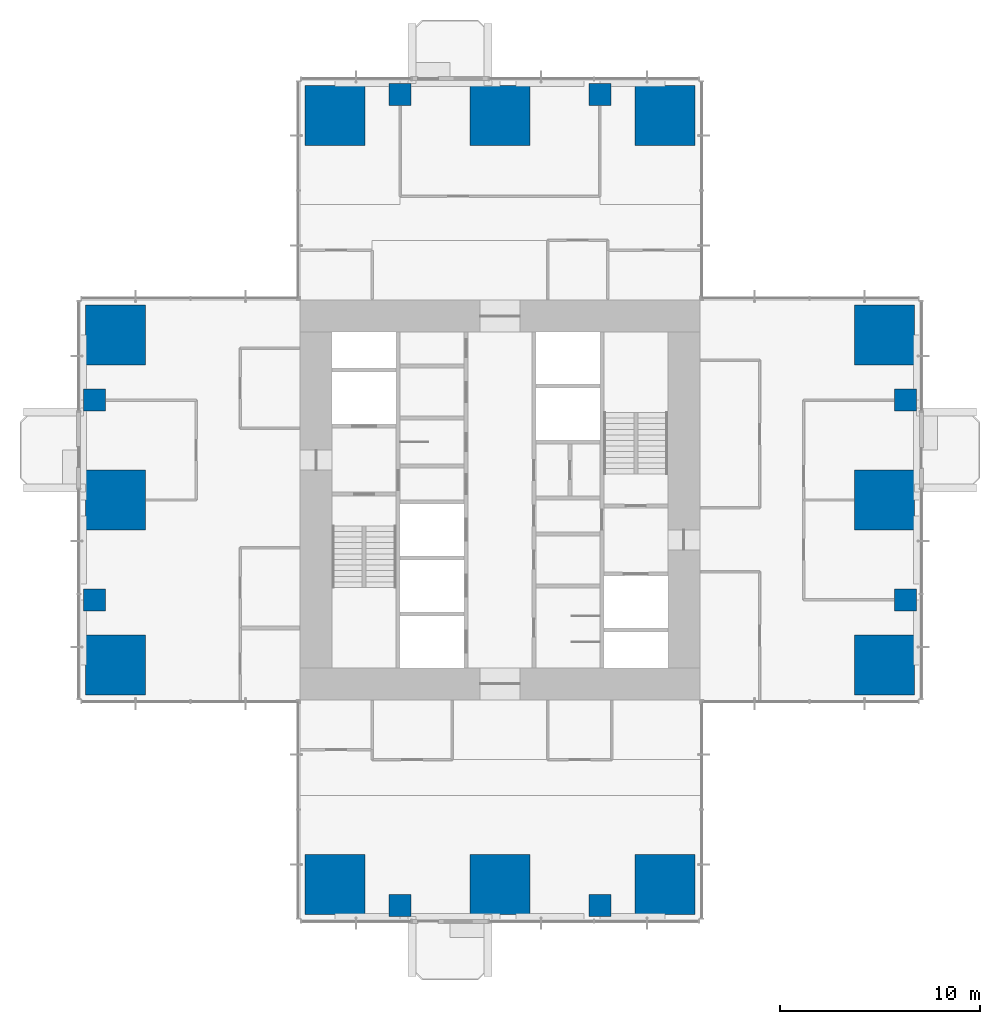
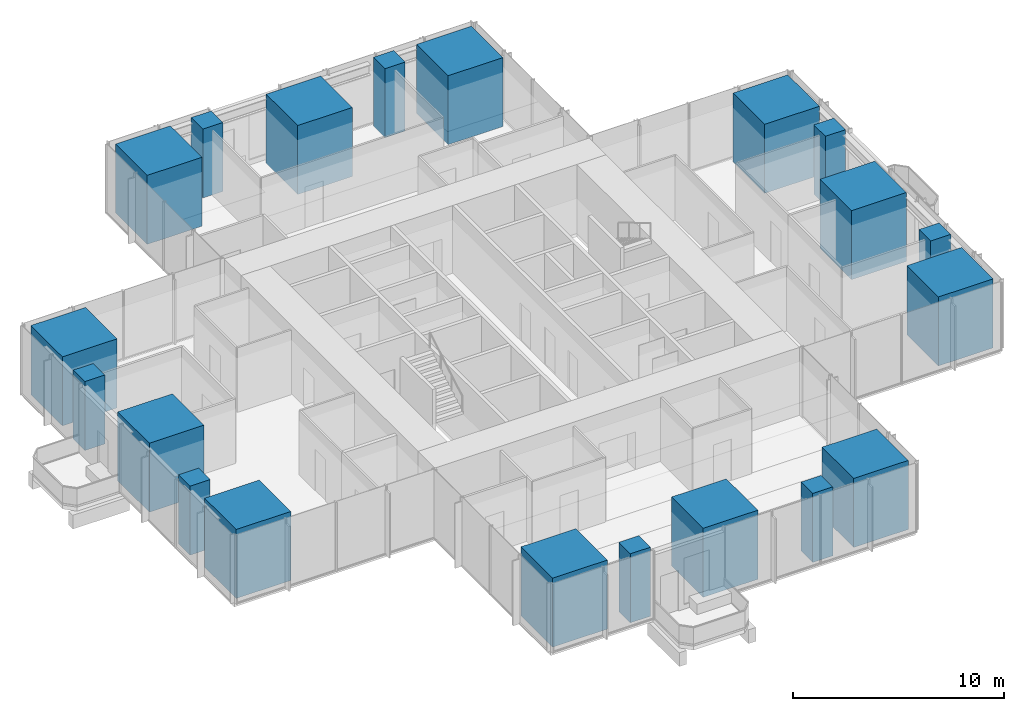
# One storey, part 1 of 13: 20 columns.
"""IFC4 building model written with IfcOpenShell, lengths in metres."""

from ifc_helpers import new_model, si_unit, direction, frame, origin, origin_2d, place, context, subcontext, project, spatial, rectangle, extrude, material, material_profile, profile_set, type_object, element, save


model = new_model("IFC4")

# Units and contexts
model_context = context("Model", 3, precision=1e-05, world=origin(), true_north=direction((0.0, 1.0)))
body_context = subcontext(model_context, "Body", "Model", "MODEL_VIEW")
ifc_project = project(units=[si_unit("LENGTHUNIT", "METRE"), si_unit("AREAUNIT", "SQUARE_METRE"), si_unit("VOLUMEUNIT", "CUBIC_METRE"), si_unit("PLANEANGLEUNIT", "RADIAN"), si_unit("MASSUNIT", "GRAM", prefix="KILO")], contexts=[model_context])

# Site, building, storey
site_placement = place(None, origin())
site = spatial("IfcSite", under=ifc_project, at=site_placement, CompositionType="ELEMENT")
building_placement = place(site_placement, origin())
building = spatial("IfcBuilding", under=site, at=building_placement, Name="Svetlomir Tower", CompositionType="ELEMENT")
storey_placement = place(building_placement, frame((0.0, 0.0, 140.5)))
storey = spatial("IfcBuildingStorey", under=building, at=storey_placement, Name="L33", CompositionType="ELEMENT", Elevation=140.5)

# Columns
ifc_material_1 = material(Name="Concrete C60/75", Category="concrete")
ifc_material_profile_1 = material_profile(ifc_material_1, rectangle(XDim=1.10009765625, YDim=1.10009765625, at=origin_2d()), Name="RC 1100x1100")
ifc_profile_set_1 = profile_set([ifc_material_profile_1], Name="Concrete C60/75")
column_type_1 = type_object("IfcColumnType", Name="COLUMN RC 1100x1100", PredefinedType="COLUMN", material=ifc_profile_set_1)
for number, where, z_axis, x_axis, name in (
    (1, (16.0, 0.699951171875, 0.0), (0.0, 0.0, 1.0), (1.0, 0.0, 0.0), "Column 16/0 L33"),
    (2, (26.0, 0.699951171875, 0.0), (0.0, 0.0, 1.0), (1.0, 0.0, 0.0), "Column 26/0 L33"),
    (3, (0.699951171875, 16.0, 0.0), (0.0, 0.0, 1.0), (1.0, 0.0, 0.0), "Column 0/16 L33"),
    (4, (41.300048828125, 16.0, 0.0), (0.0, 0.0, 1.0), (1.0, 0.0, 0.0), "Column 42/16 L33"),
    (5, (0.699951171875, 26.0, 0.0), (0.0, 0.0, 1.0), (1.0, 0.0, 0.0), "Column 0/26 L33"),
    (6, (41.300048828125, 26.0, 0.0), (0.0, 0.0, 1.0), (1.0, 0.0, 0.0), "Column 42/26 L33"),
    (7, (16.0, 41.300048828125, 0.0), (0.0, 0.0, 1.0), (1.0, 0.0, 0.0), "Column 16/42 L33"),
    (8, (26.0, 41.300048828125, 0.0), (0.0, 0.0, 1.0), (1.0, 0.0, 0.0), "Column 26/42 L33"),
):
    element("IfcColumn", number, at=place(storey_placement, frame(where, z_axis=z_axis, x_axis=x_axis)), inside=storey, type_object=column_type_1, Name=name, PredefinedType="COLUMN", context=body_context, shape_type="SweptSolid", body=[
        extrude(rectangle(XDim=1.10009765625, YDim=1.10009765625, at=origin_2d()), origin(), (0.0, 0.0, 1.0), 4.0),
    ])
ifc_material_2 = material(Name="Concrete C60/75", Category="concrete")
ifc_material_profile_2 = material_profile(ifc_material_2, rectangle(XDim=3.0, YDim=3.0, at=origin_2d()), Name="RC 3000x3000")
ifc_profile_set_2 = profile_set([ifc_material_profile_2], Name="Concrete C60/75")
column_type_2 = type_object("IfcColumnType", Name="COLUMN RC 3000x3000", PredefinedType="COLUMN", material=ifc_profile_set_2)
for number, where, z_axis, x_axis, name in (
    (9, (12.75, 1.75, 0.0), (0.0, 0.0, 1.0), (1.0, 0.0, 0.0), "Column 11/0 L33"),
    (10, (21.0, 1.75, 0.0), (0.0, 0.0, 1.0), (1.0, 0.0, 0.0), "Column 21/0 L33"),
    (11, (29.25, 1.75, 0.0), (0.0, 0.0, 1.0), (1.0, 0.0, 0.0), "Column 31/0 L33"),
    (12, (1.75, 12.75, 0.0), (0.0, 0.0, 1.0), (1.0, 0.0, 0.0), "Column 0/11 L33"),
    (13, (40.25, 12.75, 0.0), (0.0, 0.0, 1.0), (1.0, 0.0, 0.0), "Column 42/11 L33"),
    (14, (1.75, 21.0, 0.0), (0.0, 0.0, 1.0), (1.0, 0.0, 0.0), "Column 0/21 L33"),
    (15, (40.25, 21.0, 0.0), (0.0, 0.0, 1.0), (1.0, 0.0, 0.0), "Column 42/21 L33"),
    (16, (1.75, 29.25, 0.0), (0.0, 0.0, 1.0), (1.0, 0.0, 0.0), "Column 0/31 L33"),
    (17, (40.25, 29.25, 0.0), (0.0, 0.0, 1.0), (1.0, 0.0, 0.0), "Column 42/31 L33"),
    (18, (12.75, 40.25, 0.0), (0.0, 0.0, 1.0), (1.0, 0.0, 0.0), "Column 11/42 L33"),
    (19, (21.0, 40.25, 0.0), (0.0, 0.0, 1.0), (1.0, 0.0, 0.0), "Column 21/42 L33"),
    (20, (29.25, 40.25, 0.0), (0.0, 0.0, 1.0), (1.0, 0.0, 0.0), "Column 31/42 L33"),
):
    element("IfcColumn", number, at=place(storey_placement, frame(where, z_axis=z_axis, x_axis=x_axis)), inside=storey, type_object=column_type_2, Name=name, PredefinedType="COLUMN", context=body_context, shape_type="SweptSolid", body=[
        extrude(rectangle(XDim=3.0, YDim=3.0, at=origin_2d()), origin(), (0.0, 0.0, 1.0), 4.0),
    ])

save(model, "model.ifc")
